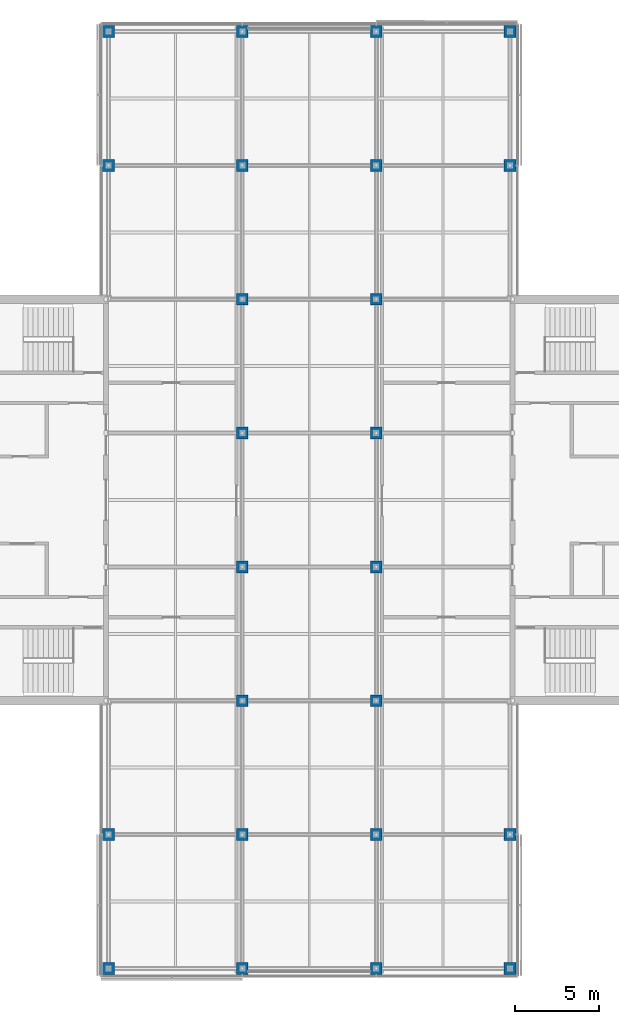
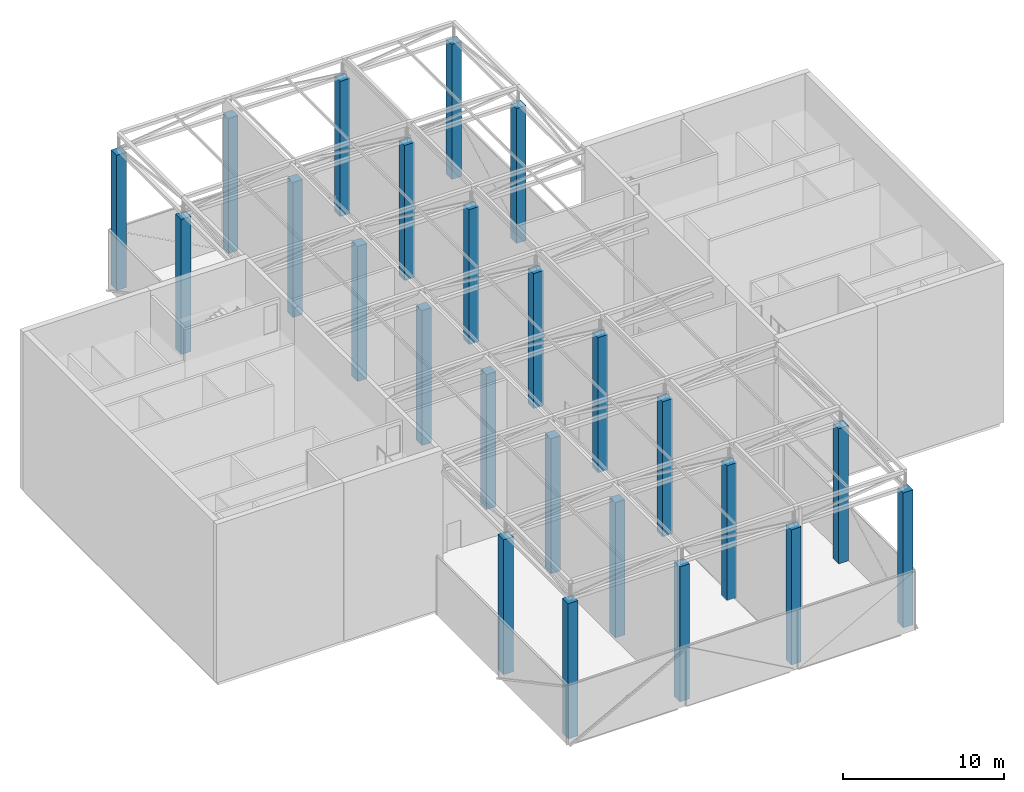
# One storey, part 1 of 23: 24 columns.
"""IFC4 building model written with IfcOpenShell, lengths in metres."""

from ifc_helpers import new_model, si_unit, direction, frame, origin, origin_2d, place, context, subcontext, project, spatial, rectangle, extrude, material, material_profile, profile_set, type_object, element, save


model = new_model("IFC4")

# Units and contexts
model_context = context("Model", 3, precision=1e-05, world=origin(), true_north=direction((0.0, 1.0)))
body_context = subcontext(model_context, "Body", "Model", "MODEL_VIEW")
ifc_project = project(units=[si_unit("LENGTHUNIT", "METRE"), si_unit("AREAUNIT", "SQUARE_METRE"), si_unit("VOLUMEUNIT", "CUBIC_METRE"), si_unit("PLANEANGLEUNIT", "RADIAN"), si_unit("MASSUNIT", "GRAM", prefix="KILO")], contexts=[model_context])

# Site, building, storey
site_placement = place(None, origin())
site = spatial("IfcSite", under=ifc_project, at=site_placement, CompositionType="ELEMENT")
building_placement = place(site_placement, origin())
building = spatial("IfcBuilding", under=site, at=building_placement, Name="Crosswind Convention Tower", CompositionType="ELEMENT")
storey_placement = place(building_placement, frame((0.0, 0.0, 349.10009765625)))
storey = spatial("IfcBuildingStorey", under=building, at=storey_placement, Name="L76", CompositionType="ELEMENT", Elevation=349.10009765625)

# Columns
ifc_material = material(Name="Concrete C60/75", Category="concrete")
ifc_material_profile = material_profile(ifc_material, rectangle(XDim=0.699951171875, YDim=0.699951171875, at=origin_2d()), Name="RC 700X700")
ifc_profile_set = profile_set([ifc_material_profile], Name="Concrete C60/75")
column_type = type_object("IfcColumnType", Name="Column RC 700X700", PredefinedType="COLUMN", material=ifc_profile_set)
for number, where, z_axis, x_axis, name in (
    (1, (113.0, 72.0, 0.0), (0.0, 0.0, 1.0), (1.0, 0.0, 0.0), "C15 L76 5/C"),
    (2, (113.0, 80.0, 0.0), (0.0, 0.0, 1.0), (1.0, 0.0, 0.0), "C15 L76 5/D"),
    (3, (113.0, 120.0, 0.0), (0.0, 0.0, 1.0), (1.0, 0.0, 0.0), "C15 L76 5/I"),
    (4, (113.0, 128.0, 0.0), (0.0, 0.0, 1.0), (1.0, 0.0, 0.0), "C15 L76 5/J"),
    (5, (121.0, 72.0, 0.0), (0.0, 0.0, 1.0), (1.0, 0.0, 0.0), "C15 L76 6/C"),
    (6, (121.0, 80.0, 0.0), (0.0, 0.0, 1.0), (1.0, 0.0, 0.0), "C15 L76 6/D"),
    (7, (121.0, 88.0, 0.0), (0.0, 0.0, 1.0), (1.0, 0.0, 0.0), "C15 L76 6/E"),
    (8, (121.0, 96.0, 0.0), (0.0, 0.0, 1.0), (1.0, 0.0, 0.0), "C15 L76 6/F"),
    (9, (121.0, 104.0, 0.0), (0.0, 0.0, 1.0), (1.0, 0.0, 0.0), "C15 L76 6/G"),
    (10, (121.0, 112.0, 0.0), (0.0, 0.0, 1.0), (1.0, 0.0, 0.0), "C15 L76 6/H"),
    (11, (121.0, 120.0, 0.0), (0.0, 0.0, 1.0), (1.0, 0.0, 0.0), "C15 L76 6/I"),
    (12, (121.0, 128.0, 0.0), (0.0, 0.0, 1.0), (1.0, 0.0, 0.0), "C15 L76 6/J"),
    (13, (129.0, 72.0, 0.0), (0.0, 0.0, 1.0), (1.0, 0.0, 0.0), "C15 L76 7/C"),
    (14, (129.0, 80.0, 0.0), (0.0, 0.0, 1.0), (1.0, 0.0, 0.0), "C15 L76 7/D"),
    (15, (129.0, 88.0, 0.0), (0.0, 0.0, 1.0), (1.0, 0.0, 0.0), "C15 L76 7/E"),
    (16, (129.0, 96.0, 0.0), (0.0, 0.0, 1.0), (1.0, 0.0, 0.0), "C15 L76 7/F"),
    (17, (129.0, 104.0, 0.0), (0.0, 0.0, 1.0), (1.0, 0.0, 0.0), "C15 L76 7/G"),
    (18, (129.0, 112.0, 0.0), (0.0, 0.0, 1.0), (1.0, 0.0, 0.0), "C15 L76 7/H"),
    (19, (129.0, 120.0, 0.0), (0.0, 0.0, 1.0), (1.0, 0.0, 0.0), "C15 L76 7/I"),
    (20, (129.0, 128.0, 0.0), (0.0, 0.0, 1.0), (1.0, 0.0, 0.0), "C15 L76 7/J"),
    (21, (137.0, 72.0, 0.0), (0.0, 0.0, 1.0), (1.0, 0.0, 0.0), "C15 L76 8/C"),
    (22, (137.0, 80.0, 0.0), (0.0, 0.0, 1.0), (1.0, 0.0, 0.0), "C15 L76 8/D"),
    (23, (137.0, 120.0, 0.0), (0.0, 0.0, 1.0), (1.0, 0.0, 0.0), "C15 L76 8/I"),
    (24, (137.0, 128.0, 0.0), (0.0, 0.0, 1.0), (1.0, 0.0, 0.0), "C15 L76 8/J"),
):
    element("IfcColumn", number, at=place(storey_placement, frame(where, z_axis=z_axis, x_axis=x_axis)), inside=storey, type_object=column_type, Name=name, PredefinedType="COLUMN", context=body_context, shape_type="SweptSolid", body=[
        extrude(rectangle(XDim=0.699951171875, YDim=0.699951171875, at=origin_2d()), origin(), (0.0, 0.0, 1.0), 10.22998046875),
    ])

save(model, "model.ifc")
